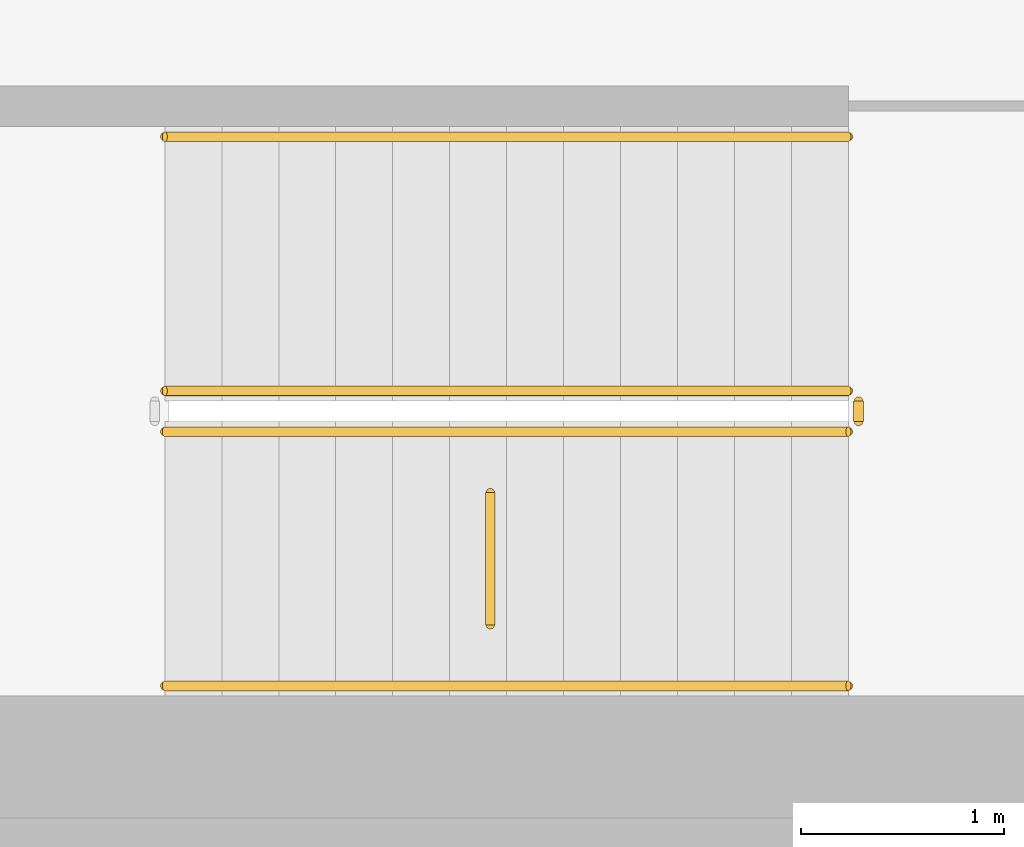
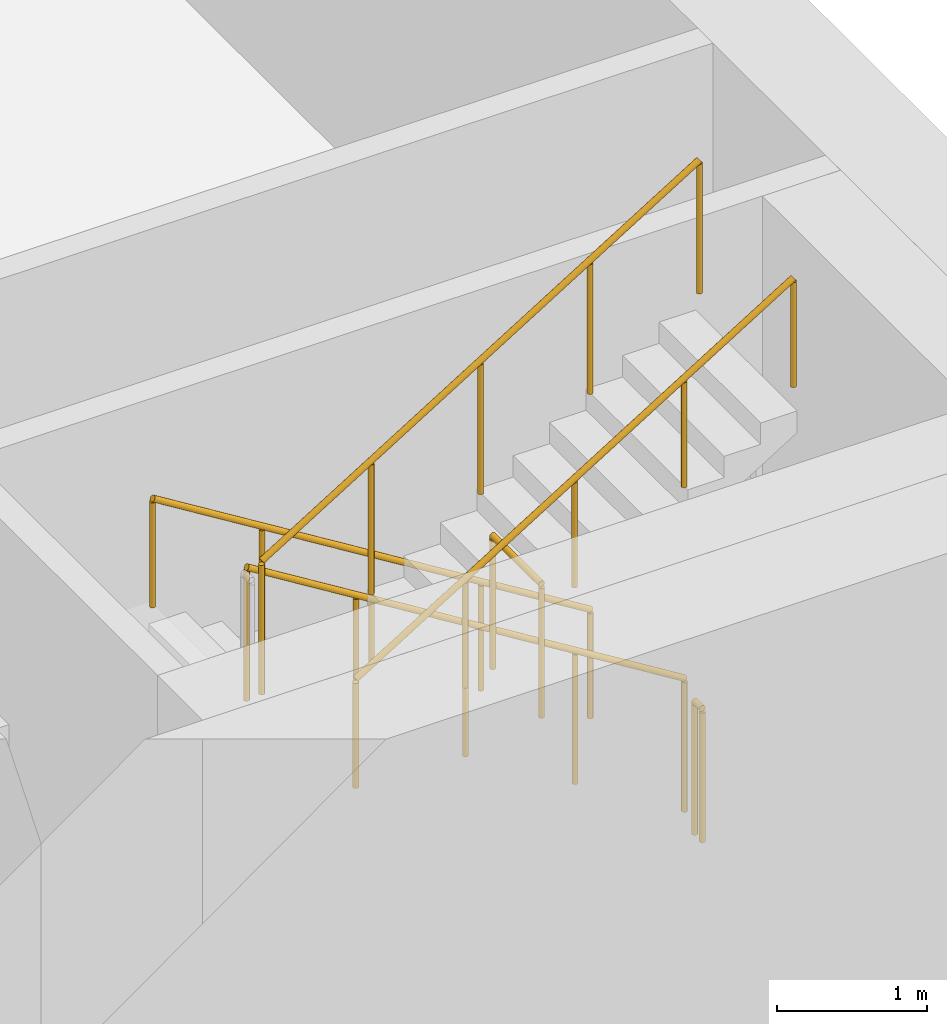
# One storey, part 20 of 23: 6 railings.
"""IFC4 building model written with IfcOpenShell, lengths in metres."""

from ifc_helpers import new_model, si_unit, direction, frame, origin, origin_2d, place, context, subcontext, project, spatial, circle, extrude, material, type_object, element, save


model = new_model("IFC4")

# Units and contexts
model_context = context("Model", 3, precision=1e-05, world=origin(), true_north=direction((0.0, 1.0)))
body_context = subcontext(model_context, "Body", "Model", "MODEL_VIEW")
ifc_project = project(units=[si_unit("LENGTHUNIT", "METRE"), si_unit("AREAUNIT", "SQUARE_METRE"), si_unit("VOLUMEUNIT", "CUBIC_METRE"), si_unit("PLANEANGLEUNIT", "RADIAN"), si_unit("MASSUNIT", "GRAM", prefix="KILO")], contexts=[model_context])

# Site, building, storey
site_placement = place(None, origin())
site = spatial("IfcSite", under=ifc_project, at=site_placement, CompositionType="ELEMENT")
building_placement = place(site_placement, origin())
building = spatial("IfcBuilding", under=site, at=building_placement, Name="Stone Belt Terrace Tower", CompositionType="ELEMENT")
storey_placement = place(building_placement, frame((0.0, 0.0, -4.5)))
storey = spatial("IfcBuildingStorey", under=building, at=storey_placement, Name="B1", CompositionType="ELEMENT", Elevation=-4.5)

# Railings
ifc_material_1 = material(Name="Structural steel C345", Category="steel")
railing_type_1 = type_object("IfcRailingType", Name="Car park guard 1100", PredefinedType="GUARDRAIL", material=ifc_material_1)
railing_1_placement = place(storey_placement, frame((30.75, -48.60009765625, 0.173095703125)))
element("IfcRailing", 1, at=railing_1_placement, inside=storey, type_object=railing_type_1, Name="B1 CS2 stair guard 1", PredefinedType="GUARDRAIL", context=body_context, shape_type="SweptSolid", body=[
    extrude(circle(Radius=0.02392578125, at=origin_2d()), frame((0.0, 0.0, 1.076171875), z_axis=(-0.850623216509, 0.0, 0.525775754039), x_axis=(0.0, -1.0, 0.0)), (0.0, 0.0, 1.0), 3.9501953125),
    extrude(circle(Radius=0.02099609375, at=origin_2d()), origin(), (0.0, 0.0, 1.0), 1.052001953125),
    extrude(circle(Radius=0.02099609375, at=origin_2d()), frame((-0.840087890625, 0.0, 0.519287109375)), (0.0, 0.0, 1.0), 1.052001953125),
    extrude(circle(Radius=0.02099609375, at=origin_2d()), frame((-1.68017578125, 0.0, 1.03857421875)), (0.0, 0.0, 1.0), 1.052001953125),
    extrude(circle(Radius=0.02099609375, at=origin_2d()), frame((-2.52001953125, 0.0, 1.5576171875)), (0.0, 0.0, 1.0), 1.052001953125),
    extrude(circle(Radius=0.02099609375, at=origin_2d()), frame((-3.360107421875, 0.0, 2.076904296875)), (0.0, 0.0, 1.0), 1.052001953125),
])
railing_2_placement = place(storey_placement, frame((27.389892578125, -48.800048828125, 2.423095703125)))
element("IfcRailing", 2, at=railing_2_placement, inside=storey, type_object=railing_type_1, Name="B1 CS2 stair guard 3", PredefinedType="GUARDRAIL", context=body_context, shape_type="SweptSolid", body=[
    extrude(circle(Radius=0.02392578125, at=origin_2d()), frame((0.0, 0.0, 1.076171875), z_axis=(0.850623216509, 0.0, 0.525775754039), x_axis=(0.0, 1.0, 0.0)), (0.0, 0.0, 1.0), 3.9501953125),
    extrude(circle(Radius=0.02099609375, at=origin_2d()), origin(), (0.0, 0.0, 1.0), 1.052001953125),
    extrude(circle(Radius=0.02099609375, at=origin_2d()), frame((0.840087890625, 0.0, 0.519287109375)), (0.0, 0.0, 1.0), 1.052001953125),
    extrude(circle(Radius=0.02099609375, at=origin_2d()), frame((1.68017578125, 0.0, 1.03857421875)), (0.0, 0.0, 1.0), 1.052001953125),
    extrude(circle(Radius=0.02099609375, at=origin_2d()), frame((2.52001953125, 0.0, 1.5576171875)), (0.0, 0.0, 1.0), 1.052001953125),
    extrude(circle(Radius=0.02099609375, at=origin_2d()), frame((3.360107421875, 0.0, 2.076904296875)), (0.0, 0.0, 1.0), 1.052001953125),
])
railing_3_placement = place(storey_placement, frame((30.800048828125, -48.64990234375, 0.0)))
element("IfcRailing", 3, at=railing_3_placement, inside=storey, type_object=railing_type_1, Name="B1 CS2 stair guard 4", PredefinedType="GUARDRAIL", context=body_context, shape_type="SweptSolid", body=[
    extrude(circle(Radius=0.02392578125, at=origin_2d()), frame((0.0, 0.0, 1.076171875), z_axis=(0.0, -1.0, 0.0), x_axis=(1.0, 0.0, 0.0)), (0.0, 0.0, 1.0), 0.10009765625),
    extrude(circle(Radius=0.02099609375, at=origin_2d()), origin(), (0.0, 0.0, 1.0), 1.052001953125),
    extrude(circle(Radius=0.02099609375, at=origin_2d()), frame((0.0, -0.10009765625, 0.0)), (0.0, 0.0, 1.0), 1.052001953125),
])
railing_4_placement = place(storey_placement, frame((28.989990234375, -49.75, 2.25)))
element("IfcRailing", 4, at=railing_4_placement, inside=storey, type_object=railing_type_1, Name="Car park stair landing guard", PredefinedType="GUARDRAIL", context=body_context, shape_type="SweptSolid", body=[
    extrude(circle(Radius=0.02392578125, at=origin_2d()), frame((0.0, 0.0, 1.076171875), z_axis=(0.0, 1.0, 0.0), x_axis=(-1.0, 0.0, 0.0)), (0.0, 0.0, 1.0), 0.64990234375),
    extrude(circle(Radius=0.02099609375, at=origin_2d()), origin(), (0.0, 0.0, 1.0), 1.052001953125),
    extrude(circle(Radius=0.02099609375, at=origin_2d()), frame((0.0, 0.64990234375, 0.0)), (0.0, 0.0, 1.0), 1.052001953125),
])
ifc_material_2 = material(Name="Stainless steel", Category="steel")
railing_type_2 = type_object("IfcRailingType", Name="Car park handrail 900", PredefinedType="HANDRAIL", material=ifc_material_2)
railing_5_placement = place(storey_placement, frame((30.75, -47.35009765625, 0.173095703125)))
element("IfcRailing", 5, at=railing_5_placement, inside=storey, type_object=railing_type_2, Name="B1 CS2 stair handrail 1", PredefinedType="HANDRAIL", context=body_context, shape_type="SweptSolid", body=[
    extrude(circle(Radius=0.02392578125, at=origin_2d()), frame((0.0, 0.0, 0.8759765625), z_axis=(-0.850623216509, 0.0, 0.525775754039), x_axis=(0.0, -1.0, 0.0)), (0.0, 0.0, 1.0), 3.9501953125),
    extrude(circle(Radius=0.02099609375, at=origin_2d()), origin(), (0.0, 0.0, 1.0), 0.851806640625),
    extrude(circle(Radius=0.02099609375, at=origin_2d()), frame((-0.840087890625, 0.0, 0.519287109375)), (0.0, 0.0, 1.0), 0.851806640625),
    extrude(circle(Radius=0.02099609375, at=origin_2d()), frame((-1.68017578125, 0.0, 1.03857421875)), (0.0, 0.0, 1.0), 0.851806640625),
    extrude(circle(Radius=0.02099609375, at=origin_2d()), frame((-2.52001953125, 0.0, 1.5576171875)), (0.0, 0.0, 1.0), 0.851806640625),
    extrude(circle(Radius=0.02099609375, at=origin_2d()), frame((-3.360107421875, 0.0, 2.076904296875)), (0.0, 0.0, 1.0), 0.851806640625),
])
railing_6_placement = place(storey_placement, frame((27.389892578125, -50.050048828125, 2.423095703125)))
element("IfcRailing", 6, at=railing_6_placement, inside=storey, type_object=railing_type_2, Name="B1 CS2 stair handrail 2", PredefinedType="HANDRAIL", context=body_context, shape_type="SweptSolid", body=[
    extrude(circle(Radius=0.02392578125, at=origin_2d()), frame((0.0, 0.0, 0.8759765625), z_axis=(0.850623216509, 0.0, 0.525775754039), x_axis=(0.0, 1.0, 0.0)), (0.0, 0.0, 1.0), 3.9501953125),
    extrude(circle(Radius=0.02099609375, at=origin_2d()), origin(), (0.0, 0.0, 1.0), 0.851806640625),
    extrude(circle(Radius=0.02099609375, at=origin_2d()), frame((0.840087890625, 0.0, 0.519287109375)), (0.0, 0.0, 1.0), 0.851806640625),
    extrude(circle(Radius=0.02099609375, at=origin_2d()), frame((1.68017578125, 0.0, 1.03857421875)), (0.0, 0.0, 1.0), 0.851806640625),
    extrude(circle(Radius=0.02099609375, at=origin_2d()), frame((2.52001953125, 0.0, 1.5576171875)), (0.0, 0.0, 1.0), 0.851806640625),
    extrude(circle(Radius=0.02099609375, at=origin_2d()), frame((3.360107421875, 0.0, 2.076904296875)), (0.0, 0.0, 1.0), 0.851806640625),
])

save(model, "model.ifc")
